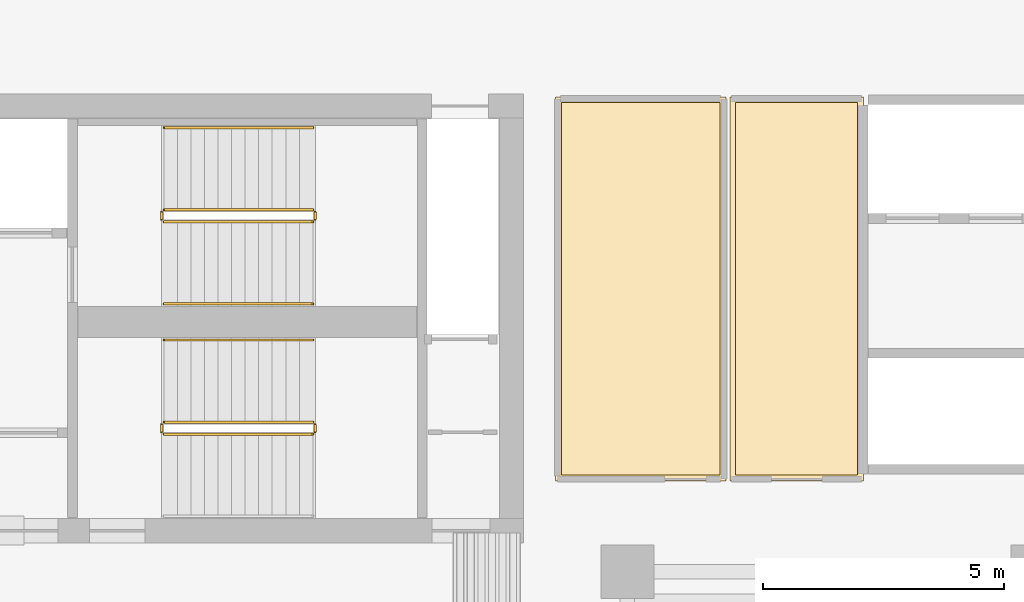
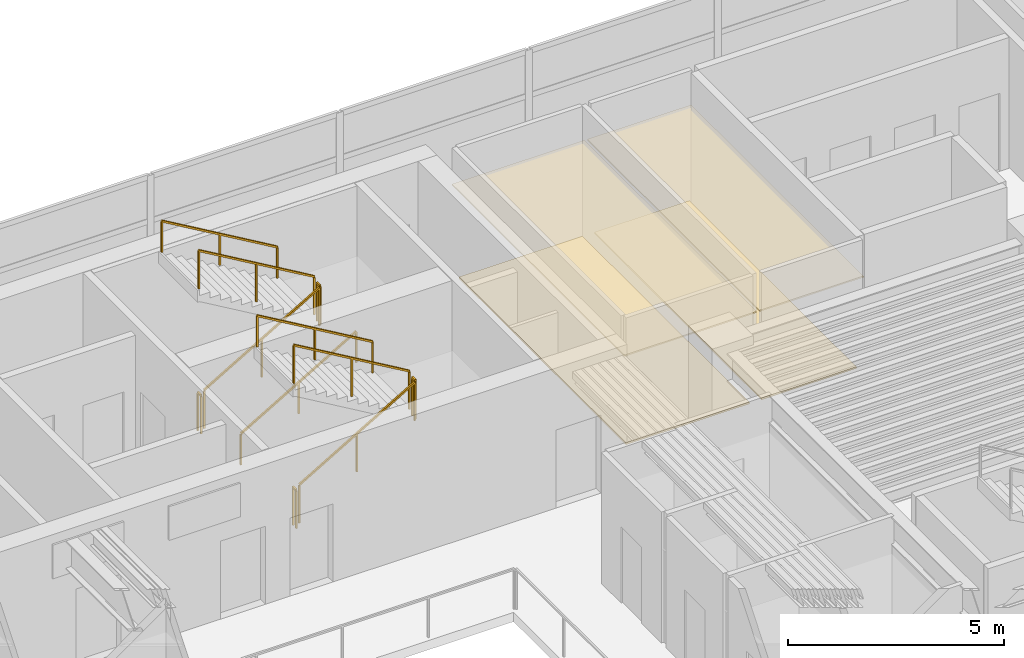
# One storey, part 12 of 12: 11 railings, 4 coverings.
"""IFC4 building model written with IfcOpenShell, lengths in metres."""

from ifc_helpers import new_model, si_unit, direction, frame, origin, origin_2d, place, context, subcontext, project, spatial, polyline, rectangle, outline, extrude, material, layer, layer_set, type_object, element, save


model = new_model("IFC4")

# Units and contexts
model_context = context("Model", 3, precision=1e-05, world=origin(), true_north=direction((0.0, 1.0)))
body_context = subcontext(model_context, "Body", "Model", "MODEL_VIEW")
ifc_project = project(units=[si_unit("LENGTHUNIT", "METRE"), si_unit("AREAUNIT", "SQUARE_METRE"), si_unit("VOLUMEUNIT", "CUBIC_METRE"), si_unit("PLANEANGLEUNIT", "RADIAN"), si_unit("MASSUNIT", "GRAM", prefix="KILO")], contexts=[model_context])

# Site, building, storey
site_placement = place(None, origin())
site = spatial("IfcSite", under=ifc_project, at=site_placement, CompositionType="ELEMENT")
building_placement = place(site_placement, origin())
building = spatial("IfcBuilding", under=site, at=building_placement, Name="Caeloran Harvest Quay", CompositionType="ELEMENT")
storey_placement = place(building_placement, frame((0.0, 0.0, 115.35009765625)))
storey = spatial("IfcBuildingStorey", under=building, at=storey_placement, Name="L26", CompositionType="ELEMENT", Elevation=115.35009765625)

# Coverings
ifc_material_1 = material(Name="Perforated Mineral-Fibre Acoustic Ceiling Tile", Category="ceiling")
ifc_layer_1 = layer(ifc_material_1, 0.0400390625, Name="Perforated Mineral-Fibre Acoustic Ceiling Tile")
ifc_layer_set_1 = layer_set([ifc_layer_1], Name="Perforated Mineral-Fibre Acoustic Ceiling Tile")
covering_type_1 = type_object("IfcCoveringType", Name="COV-CEILING-ACOUSTIC", PredefinedType="CEILING", material=ifc_layer_set_1)
covering_1_placement = place(storey_placement, frame((0.0, 0.0, 2.599853515625)))
element("IfcCovering", 1, at=covering_1_placement, inside=storey, type_object=covering_type_1, Name="L26 Bioinformatics Briefing Lounge Acoustic Ceiling", PredefinedType="CEILING", context=body_context, shape_type="SweptSolid", body=[
    extrude(outline(polyline([(27.5400390625, 40.840087890625), (27.5400390625, 32.8798828125), (24.010009765625, 32.8798828125), (24.010009765625, 40.840087890625), (27.5400390625, 40.840087890625)])), origin(), (0.0, 0.0, 1.0), 0.0400390625),
])
covering_2_placement = place(storey_placement, frame((0.0, 0.0, 2.599853515625)))
element("IfcCovering", 2, at=covering_2_placement, inside=storey, type_object=covering_type_1, Name="L26 Seed Imaging Laboratory Acoustic Ceiling", PredefinedType="CEILING", context=body_context, shape_type="SweptSolid", body=[
    extrude(outline(polyline([(30.389892578125, 40.840087890625), (30.389892578125, 32.8798828125), (27.6201171875, 32.8798828125), (27.6201171875, 40.840087890625), (30.389892578125, 40.840087890625)])), origin(), (0.0, 0.0, 1.0), 0.0400390625),
])
ifc_material_2 = material(Name="Calcium-Sulphate Raised Access Floor and Terrazzo Finish", Category="flooring")
ifc_layer_2 = layer(ifc_material_2, 0.050048828125, Name="Calcium-Sulphate Raised Access Floor and Terrazzo Finish")
ifc_layer_set_2 = layer_set([ifc_layer_2], Name="Calcium-Sulphate Raised Access Floor and Terrazzo Finish")
covering_type_2 = type_object("IfcCoveringType", Name="COV-FLOOR-RAISED", PredefinedType="FLOORING", material=ifc_layer_set_2)
covering_3_placement = place(storey_placement, origin())
element("IfcCovering", 3, at=covering_3_placement, inside=storey, type_object=covering_type_2, Name="L26 Bioinformatics Briefing Lounge Raised Finish Flooring", PredefinedType="FLOORING", context=body_context, shape_type="SweptSolid", body=[
    extrude(outline(polyline([(27.419921875, 40.719970703125), (27.419921875, 33.0), (24.1298828125, 33.0), (24.1298828125, 40.719970703125), (27.419921875, 40.719970703125)])), origin(), (0.0, 0.0, 1.0), 0.0498046875),
])
covering_4_placement = place(storey_placement, origin())
element("IfcCovering", 4, at=covering_4_placement, inside=storey, type_object=covering_type_2, Name="L26 Seed Imaging Laboratory Raised Finish Flooring", PredefinedType="FLOORING", context=body_context, shape_type="SweptSolid", body=[
    extrude(outline(polyline([(30.27001953125, 40.719970703125), (30.27001953125, 33.0), (27.739990234375, 33.0), (27.739990234375, 40.719970703125), (30.27001953125, 40.719970703125)])), origin(), (0.0, 0.0, 1.0), 0.0498046875),
])

# Railings
ifc_material_3 = material(Name="Painted Steel Baluster and Top-Rail Stair Guard", Category="steel")
ifc_layer_3 = layer(ifc_material_3, 0.050048828125, Name="Painted Steel Baluster and Top-Rail Stair Guard")
ifc_layer_set_3 = layer_set([ifc_layer_3], Name="Painted Steel Baluster and Top-Rail Stair Guard")
railing_type_1 = type_object("IfcRailingType", Name="STAIR-GUARD-1100", PredefinedType="GUARDRAIL", material=ifc_layer_set_3)
railing_1_placement = place(storey_placement, frame((15.89990234375, 38.25, 0.16455078125)))
element("IfcRailing", 5, at=railing_1_placement, inside=storey, type_object=railing_type_1, Name="L26 ST-C1 stair guard 1", PredefinedType="GUARDRAIL", context=body_context, shape_type="SweptSolid", body=[
    extrude(rectangle(XDim=0.048095703125, YDim=0.048095703125, at=origin_2d()), frame((0.0, 0.0, 1.076171875), z_axis=(0.862118610829, 0.0, 0.506706523406), x_axis=(0.0, 1.0, 0.0)), (0.0, 0.0, 1.0), 3.57275390625),
    extrude(rectangle(XDim=0.0419921875, YDim=0.0419921875, at=origin_2d()), origin(), (0.0, 0.0, 1.0), 1.052001953125),
    extrude(rectangle(XDim=0.0419921875, YDim=0.0419921875, at=origin_2d()), frame((1.5400390625, 0.0, 0.9052734375)), (0.0, 0.0, 1.0), 1.052001953125),
    extrude(rectangle(XDim=0.0419921875, YDim=0.0419921875, at=origin_2d()), frame((3.080078125, 0.0, 1.810302734375)), (0.0, 0.0, 1.0), 1.052001953125),
])
railing_2_placement = place(storey_placement, frame((19.030029296875, 38.300048828125, 1.974853515625)))
element("IfcRailing", 6, at=railing_2_placement, inside=storey, type_object=railing_type_1, Name="L26 ST-C1 stair guard 2", PredefinedType="GUARDRAIL", context=body_context, shape_type="SweptSolid", body=[
    extrude(rectangle(XDim=0.048095703125, YDim=0.048095703125, at=origin_2d()), frame((0.0, 0.0, 1.076171875), z_axis=(0.0, 1.0, 0.0), x_axis=(-1.0, 0.0, 0.0)), (0.0, 0.0, 1.0), 0.14990234375),
    extrude(rectangle(XDim=0.0419921875, YDim=0.0419921875, at=origin_2d()), origin(), (0.0, 0.0, 1.0), 1.052001953125),
    extrude(rectangle(XDim=0.0419921875, YDim=0.0419921875, at=origin_2d()), frame((0.0, 0.14990234375, 0.0)), (0.0, 0.0, 1.0), 1.052001953125),
])
railing_3_placement = place(storey_placement, frame((18.97998046875, 38.5, 2.139404296875)))
element("IfcRailing", 7, at=railing_3_placement, inside=storey, type_object=railing_type_1, Name="L26 ST-C1 stair guard 3", PredefinedType="GUARDRAIL", context=body_context, shape_type="SweptSolid", body=[
    extrude(rectangle(XDim=0.048095703125, YDim=0.048095703125, at=origin_2d()), frame((0.0, 0.0, 1.076171875), z_axis=(-0.862088758681, 0.0, 0.506757310905), x_axis=(0.0, -1.0, 0.0)), (0.0, 0.0, 1.0), 3.57275390625),
    extrude(rectangle(XDim=0.0419921875, YDim=0.0419921875, at=origin_2d()), origin(), (0.0, 0.0, 1.0), 1.052001953125),
    extrude(rectangle(XDim=0.0419921875, YDim=0.0419921875, at=origin_2d()), frame((-1.5400390625, 0.0, 0.9052734375)), (0.0, 0.0, 1.0), 1.052001953125),
    extrude(rectangle(XDim=0.0419921875, YDim=0.0419921875, at=origin_2d()), frame((-3.080078125, 0.0, 1.810546875)), (0.0, 0.0, 1.0), 1.052001953125),
])
railing_4_placement = place(storey_placement, frame((15.85009765625, 38.300048828125, 0.0)))
element("IfcRailing", 8, at=railing_4_placement, inside=storey, type_object=railing_type_1, Name="L26 ST-C1 stair guard 4", PredefinedType="GUARDRAIL", context=body_context, shape_type="SweptSolid", body=[
    extrude(rectangle(XDim=0.048095703125, YDim=0.048095703125, at=origin_2d()), frame((0.0, 0.0, 1.076171875), z_axis=(0.0, 1.0, 0.0), x_axis=(-1.0, 0.0, 0.0)), (0.0, 0.0, 1.0), 0.14990234375),
    extrude(rectangle(XDim=0.0419921875, YDim=0.0419921875, at=origin_2d()), origin(), (0.0, 0.0, 1.0), 1.052001953125),
    extrude(rectangle(XDim=0.0419921875, YDim=0.0419921875, at=origin_2d()), frame((0.0, 0.14990234375, 0.0)), (0.0, 0.0, 1.0), 1.052001953125),
])
railing_5_placement = place(storey_placement, frame((15.89990234375, 33.85009765625, 0.16455078125)))
element("IfcRailing", 9, at=railing_5_placement, inside=storey, type_object=railing_type_1, Name="L26 ST-C2 stair guard 1", PredefinedType="GUARDRAIL", context=body_context, shape_type="SweptSolid", body=[
    extrude(rectangle(XDim=0.048095703125, YDim=0.048095703125, at=origin_2d()), frame((0.0, 0.0, 1.076171875), z_axis=(0.862118610829, 0.0, 0.506706523406), x_axis=(0.0, 1.0, 0.0)), (0.0, 0.0, 1.0), 3.57275390625),
    extrude(rectangle(XDim=0.0419921875, YDim=0.0419921875, at=origin_2d()), origin(), (0.0, 0.0, 1.0), 1.052001953125),
    extrude(rectangle(XDim=0.0419921875, YDim=0.0419921875, at=origin_2d()), frame((1.5400390625, 0.0, 0.9052734375)), (0.0, 0.0, 1.0), 1.052001953125),
    extrude(rectangle(XDim=0.0419921875, YDim=0.0419921875, at=origin_2d()), frame((3.080078125, 0.0, 1.810302734375)), (0.0, 0.0, 1.0), 1.052001953125),
])
railing_6_placement = place(storey_placement, frame((19.030029296875, 33.89990234375, 1.974853515625)))
element("IfcRailing", 10, at=railing_6_placement, inside=storey, type_object=railing_type_1, Name="L26 ST-C2 stair guard 2", PredefinedType="GUARDRAIL", context=body_context, shape_type="SweptSolid", body=[
    extrude(rectangle(XDim=0.048095703125, YDim=0.048095703125, at=origin_2d()), frame((0.0, 0.0, 1.076171875), z_axis=(0.0, 1.0, 0.0), x_axis=(-1.0, 0.0, 0.0)), (0.0, 0.0, 1.0), 0.150146484375),
    extrude(rectangle(XDim=0.0419921875, YDim=0.0419921875, at=origin_2d()), origin(), (0.0, 0.0, 1.0), 1.052001953125),
    extrude(rectangle(XDim=0.0419921875, YDim=0.0419921875, at=origin_2d()), frame((0.0, 0.150146484375, 0.0)), (0.0, 0.0, 1.0), 1.052001953125),
])
railing_7_placement = place(storey_placement, frame((18.97998046875, 34.10009765625, 2.139404296875)))
element("IfcRailing", 11, at=railing_7_placement, inside=storey, type_object=railing_type_1, Name="L26 ST-C2 stair guard 3", PredefinedType="GUARDRAIL", context=body_context, shape_type="SweptSolid", body=[
    extrude(rectangle(XDim=0.048095703125, YDim=0.048095703125, at=origin_2d()), frame((0.0, 0.0, 1.076171875), z_axis=(-0.862088758681, 0.0, 0.506757310905), x_axis=(0.0, -1.0, 0.0)), (0.0, 0.0, 1.0), 3.57275390625),
    extrude(rectangle(XDim=0.0419921875, YDim=0.0419921875, at=origin_2d()), origin(), (0.0, 0.0, 1.0), 1.052001953125),
    extrude(rectangle(XDim=0.0419921875, YDim=0.0419921875, at=origin_2d()), frame((-1.5400390625, 0.0, 0.9052734375)), (0.0, 0.0, 1.0), 1.052001953125),
    extrude(rectangle(XDim=0.0419921875, YDim=0.0419921875, at=origin_2d()), frame((-3.080078125, 0.0, 1.810546875)), (0.0, 0.0, 1.0), 1.052001953125),
])
railing_8_placement = place(storey_placement, frame((15.85009765625, 33.89990234375, 0.0)))
element("IfcRailing", 12, at=railing_8_placement, inside=storey, type_object=railing_type_1, Name="L26 ST-C2 stair guard 4", PredefinedType="GUARDRAIL", context=body_context, shape_type="SweptSolid", body=[
    extrude(rectangle(XDim=0.048095703125, YDim=0.048095703125, at=origin_2d()), frame((0.0, 0.0, 1.076171875), z_axis=(0.0, 1.0, 0.0), x_axis=(-1.0, 0.0, 0.0)), (0.0, 0.0, 1.0), 0.150146484375),
    extrude(rectangle(XDim=0.0419921875, YDim=0.0419921875, at=origin_2d()), origin(), (0.0, 0.0, 1.0), 1.052001953125),
    extrude(rectangle(XDim=0.0419921875, YDim=0.0419921875, at=origin_2d()), frame((0.0, 0.150146484375, 0.0)), (0.0, 0.0, 1.0), 1.052001953125),
])
ifc_material_4 = material(Name="Brushed Stainless Steel Grade 304", Category="steel")
ifc_layer_4 = layer(ifc_material_4, 0.050048828125, Name="Brushed Stainless Steel Grade 304")
ifc_layer_set_4 = layer_set([ifc_layer_4], Name="Brushed Stainless Steel Grade 304")
railing_type_2 = type_object("IfcRailingType", Name="STAIR-HANDRAIL-900", PredefinedType="HANDRAIL", material=ifc_layer_set_4)
railing_9_placement = place(storey_placement, frame((15.89990234375, 36.550048828125, 0.16455078125)))
element("IfcRailing", 13, at=railing_9_placement, inside=storey, type_object=railing_type_2, Name="L26 ST-C1 stair handrail 1", PredefinedType="HANDRAIL", context=body_context, shape_type="SweptSolid", body=[
    extrude(rectangle(XDim=0.048095703125, YDim=0.048095703125, at=origin_2d()), frame((0.0, 0.0, 0.8759765625), z_axis=(0.862118610829, 0.0, 0.506706523406), x_axis=(0.0, 1.0, 0.0)), (0.0, 0.0, 1.0), 3.57275390625),
    extrude(rectangle(XDim=0.0419921875, YDim=0.0419921875, at=origin_2d()), origin(), (0.0, 0.0, 1.0), 0.851806640625),
    extrude(rectangle(XDim=0.0419921875, YDim=0.0419921875, at=origin_2d()), frame((1.5400390625, 0.0, 0.9052734375)), (0.0, 0.0, 1.0), 0.851806640625),
    extrude(rectangle(XDim=0.0419921875, YDim=0.0419921875, at=origin_2d()), frame((3.080078125, 0.0, 1.810302734375)), (0.0, 0.0, 1.0), 0.851806640625),
])
for number, where, name in (
    (14, (18.97998046875, 40.199951171875, 2.139404296875), "L26 ST-C1 stair handrail 2"),
    (15, (18.97998046875, 35.800048828125, 2.139404296875), "L26 ST-C2 stair handrail 2"),
):
    element("IfcRailing", number, at=place(storey_placement, frame(where)), inside=storey, type_object=railing_type_2, Name=name, PredefinedType="HANDRAIL", context=body_context, shape_type="SweptSolid", body=[
        extrude(rectangle(XDim=0.048095703125, YDim=0.048095703125, at=origin_2d()), frame((0.0, 0.0, 0.8759765625), z_axis=(-0.862088758681, 0.0, 0.506757310905), x_axis=(0.0, -1.0, 0.0)), (0.0, 0.0, 1.0), 3.57275390625),
        extrude(rectangle(XDim=0.0419921875, YDim=0.0419921875, at=origin_2d()), origin(), (0.0, 0.0, 1.0), 0.851806640625),
        extrude(rectangle(XDim=0.0419921875, YDim=0.0419921875, at=origin_2d()), frame((-1.5400390625, 0.0, 0.9052734375)), (0.0, 0.0, 1.0), 0.851806640625),
        extrude(rectangle(XDim=0.0419921875, YDim=0.0419921875, at=origin_2d()), frame((-3.080078125, 0.0, 1.810546875)), (0.0, 0.0, 1.0), 0.851806640625),
    ])

save(model, "model.ifc")
